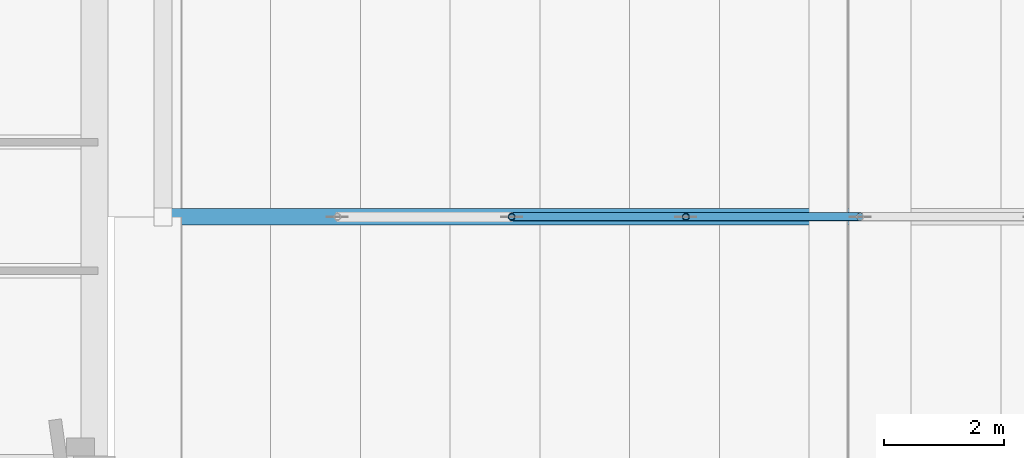
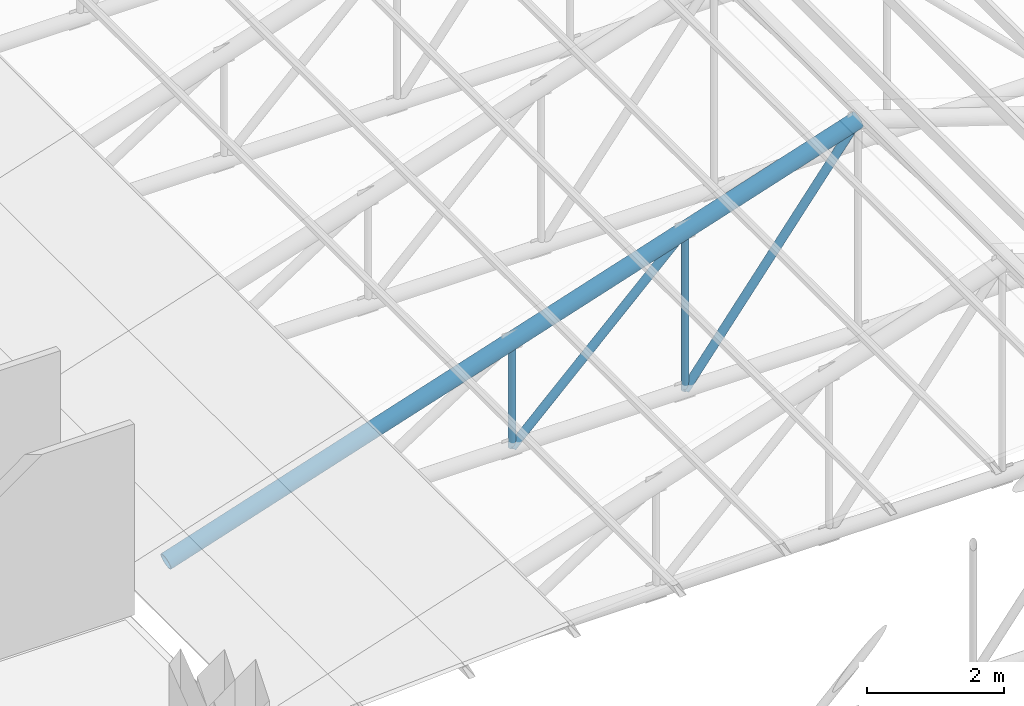
# One storey, part 16 of 95: 5 members.
"""IFC4 building model written with IfcOpenShell, lengths in metres."""

from ifc_helpers import new_model, si_unit, direction, frame, origin, origin_2d, place, context, subcontext, project, spatial, hollow_circle, extrude, material, material_profile, profile_set, type_object, element, save


model = new_model("IFC4")

# Units and contexts
model_context = context("Model", 3, precision=1e-05, world=origin(), true_north=direction((0.0, 1.0)))
body_context = subcontext(model_context, "Body", "Model", "MODEL_VIEW")
ifc_project = project(units=[si_unit("LENGTHUNIT", "METRE"), si_unit("AREAUNIT", "SQUARE_METRE"), si_unit("VOLUMEUNIT", "CUBIC_METRE"), si_unit("PLANEANGLEUNIT", "RADIAN"), si_unit("MASSUNIT", "GRAM", prefix="KILO")], contexts=[model_context])

# Site, building, storey
site_placement = place(None, origin())
site = spatial("IfcSite", under=ifc_project, at=site_placement, CompositionType="ELEMENT")
building_placement = place(site_placement, origin())
building = spatial("IfcBuilding", under=site, at=building_placement, Name="Kiln Court Media Centre", CompositionType="ELEMENT")
storey_placement = place(building_placement, frame((0.0, 0.0, 24.60009765625)))
storey = spatial("IfcBuildingStorey", under=building, at=storey_placement, Name="L05", CompositionType="ELEMENT", Elevation=24.60009765625)

# Members
ifc_material_1 = material(Name="Steel ASTM A500 Gr C", Category="steel")
ifc_material_profile_1 = material_profile(ifc_material_1, hollow_circle(Radius=0.05712890625, WallThickness=0.0048828125, at=origin_2d()), Name="CHS 114.3x5.0")
ifc_profile_set_1 = profile_set([ifc_material_profile_1], Name="Steel ASTM A500 Gr C")
member_type_1 = type_object("IfcMemberType", Name="Steel ASTM A500 Gr C CHS 114.3x5.0 truss web", PredefinedType="BRACE", material=ifc_profile_set_1)
member_1_placement = place(storey_placement, frame((40.574951171875, 37.800048828125, -0.013916015625), z_axis=(0.0, 0.0, 1.0), x_axis=(1.0, 0.0, 0.0)))
element("IfcMember", 1, at=member_1_placement, inside=storey, type_object=member_type_1, Name="foyer truss FT-04 post 2 truss web", PredefinedType="BRACE", context=body_context, shape_type="SweptSolid", body=[
    extrude(hollow_circle(Radius=0.05712890625, WallThickness=0.0048828125, at=origin_2d()), origin(), (0.0, 0.0, 1.0), 1.892822265625),
])
member_2_placement = place(storey_placement, frame((43.487548828125, 37.800048828125, -0.013916015625), z_axis=(0.0, 0.0, 1.0), x_axis=(1.0, 0.0, 0.0)))
element("IfcMember", 2, at=member_2_placement, inside=storey, type_object=member_type_1, Name="foyer truss FT-04 post 3 truss web", PredefinedType="BRACE", context=body_context, shape_type="SweptSolid", body=[
    extrude(hollow_circle(Radius=0.05712890625, WallThickness=0.0048828125, at=origin_2d()), origin(), (0.0, 0.0, 1.0), 2.839111328125),
])
ifc_material_2 = material(Name="Steel ASTM A500 Gr C", Category="steel")
ifc_material_profile_2 = material_profile(ifc_material_2, hollow_circle(Radius=0.06982421875, WallThickness=0.0048828125, at=origin_2d()), Name="CHS 139.7x5.0")
ifc_profile_set_2 = profile_set([ifc_material_profile_2], Name="Steel ASTM A500 Gr C")
member_type_2 = type_object("IfcMemberType", Name="Steel ASTM A500 Gr C CHS 139.7x5.0 truss web", PredefinedType="BRACE", material=ifc_profile_set_2)
member_3_placement = place(storey_placement, frame((40.574951171875, 37.800048828125, -0.013916015625), z_axis=(0.716082640751, 0.0, 0.69801550958), x_axis=(0.0, 1.0, 0.0)))
element("IfcMember", 3, at=member_3_placement, inside=storey, type_object=member_type_2, Name="foyer truss FT-04 diagonal 3 truss web", PredefinedType="BRACE", context=body_context, shape_type="SweptSolid", body=[
    extrude(hollow_circle(Radius=0.06982421875, WallThickness=0.0048828125, at=origin_2d()), origin(), (0.0, 0.0, 1.0), 4.0673828125),
])
member_4_placement = place(storey_placement, frame((43.487548828125, 37.800048828125, -0.013916015625), z_axis=(0.609777458127, 0.0, 0.79257267904), x_axis=(0.0, 1.0, 0.0)))
element("IfcMember", 4, at=member_4_placement, inside=storey, type_object=member_type_2, Name="foyer truss FT-04 diagonal 4 truss web", PredefinedType="BRACE", context=body_context, shape_type="SweptSolid", body=[
    extrude(hollow_circle(Radius=0.06982421875, WallThickness=0.0048828125, at=origin_2d()), origin(), (0.0, 0.0, 1.0), 4.776123046875),
])
ifc_material_3 = material(Name="Steel ASTM A500 Gr C", Category="steel")
ifc_material_profile_3 = material_profile(ifc_material_3, hollow_circle(Radius=0.136474609375, WallThickness=0.010009765625, at=origin_2d()), Name="CHS 273.0x10.0")
ifc_profile_set_3 = profile_set([ifc_material_profile_3], Name="Steel ASTM A500 Gr C")
member_type_3 = type_object("IfcMemberType", Name="Steel ASTM A500 Gr C CHS 273.0x10.0 truss chord", PredefinedType="CHORD", material=ifc_profile_set_3)
member_5_placement = place(storey_placement, frame((34.75, 37.800048828125, -0.013916015625), z_axis=(0.951053693326, 0.0, 0.309025682447), x_axis=(0.0, 1.0, 0.0)))
element("IfcMember", 5, at=member_5_placement, inside=storey, type_object=member_type_3, Name="foyer truss FT-04 west rafter truss chord", PredefinedType="CHORD", context=body_context, shape_type="SweptSolid", body=[
    extrude(hollow_circle(Radius=0.136474609375, WallThickness=0.010009765625, at=origin_2d()), origin(), (0.0, 0.0, 1.0), 12.24951171875),
])

save(model, "model.ifc")
